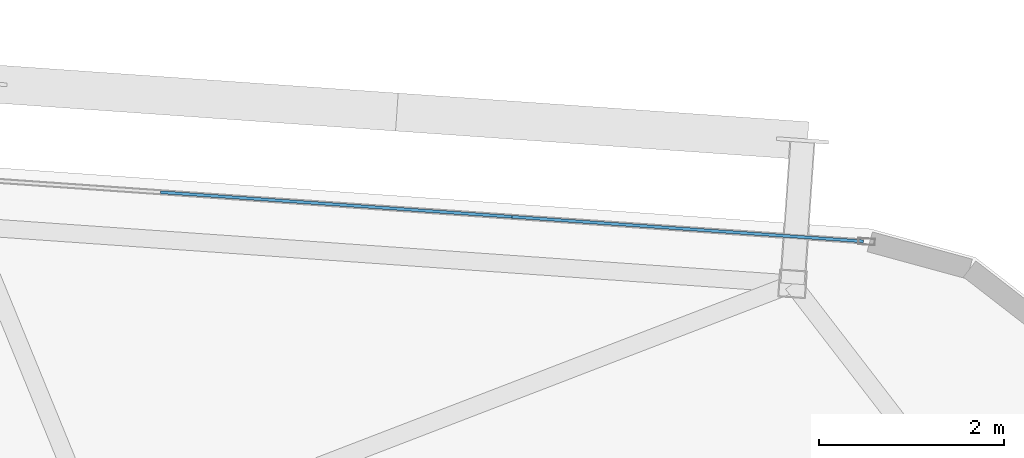
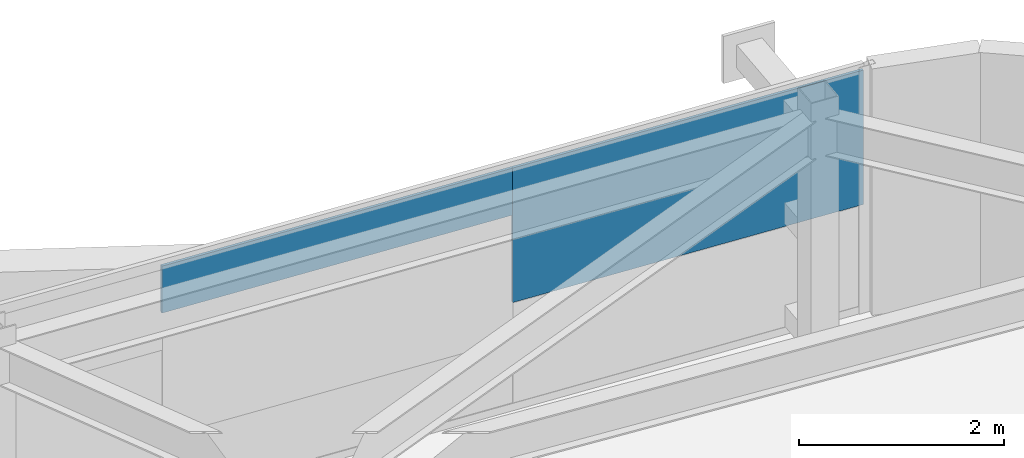
# One storey, part 26 of 39: 2 plates, 1 element without a shape of its own.
"""IFC4 building model written with IfcOpenShell, lengths in metres."""

from ifc_helpers import new_model, si_unit, direction, frame, origin, origin_2d, place, context, subcontext, project, spatial, rectangle, extrude, source, transform, mapped, material, layer, layer_set, type_object, element, aggregate, save


model = new_model("IFC4")

# Units and contexts
model_context = context("Model", 3, precision=1e-05, world=origin(), true_north=direction((0.0, 1.0)))
body_context = subcontext(model_context, "Body", "Model", "MODEL_VIEW")
ifc_project = project(units=[si_unit("LENGTHUNIT", "METRE"), si_unit("AREAUNIT", "SQUARE_METRE"), si_unit("VOLUMEUNIT", "CUBIC_METRE"), si_unit("PLANEANGLEUNIT", "RADIAN"), si_unit("MASSUNIT", "GRAM", prefix="KILO")], contexts=[model_context])

# Site, building, storey
site_placement = place(None, origin())
site = spatial("IfcSite", under=ifc_project, at=site_placement, CompositionType="ELEMENT")
building_placement = place(site_placement, origin())
building = spatial("IfcBuilding", under=site, at=building_placement, Name="Taldren Reach Tower", CompositionType="ELEMENT")
storey_placement = place(building_placement, frame((0.0, 0.0, 123.550048828125)))
storey = spatial("IfcBuildingStorey", under=building, at=storey_placement, Name="L37", CompositionType="ELEMENT", Elevation=123.550048828125)

# Curtain wall, plates
ifc_material_1 = material(Name="Aluminium and Low-E Glass Unitised System", Category="aluminium")
ifc_layer_1 = layer(ifc_material_1, 0.159912109375)
ifc_layer_set_1 = layer_set([ifc_layer_1], Name="Aluminium and Low-E Glass Unitised System")
curtain_wall_type = type_object("IfcCurtainWallType", Name="CW-SYS-4", PredefinedType="NOTDEFINED", material=ifc_layer_set_1)
curtain_wall_placement = place(storey_placement, origin())
curtain_wall = element("IfcCurtainWall", 1, at=curtain_wall_placement, inside=storey, type_object=curtain_wall_type, Name="Unitised curtain wall CW-L37-N", PredefinedType="NOTDEFINED")
ifc_material_2 = material(Name="Solar-Control Double Glazed IGU", Category="glass")
ifc_layer_2 = layer(ifc_material_2, 0.031982421875)
ifc_layer_set_2 = layer_set([ifc_layer_2], Name="Solar-Control Double Glazed IGU")
plate_type = type_object("IfcPlateType", Name="CW-PNL-IGU32", PredefinedType="CURTAIN_PANEL", material=ifc_layer_set_2)
shared_shape_1 = source(origin(), body_context, "Body", "SweptSolid", [
    extrude(rectangle(XDim=3.79833984375, YDim=0.031982421875, at=origin_2d()), origin(), (0.0, 0.0, 1.0), 1.597900390625),
])
plate_1_placement = place(storey_placement, frame((57.3056640625, 35.451904296875, 1.27685546875), z_axis=(0.0, 0.0, 1.0), x_axis=(-0.99756404731, 0.06975651593, 0.0)))
plate_1 = element("IfcPlate", 2, at=plate_1_placement, type_object=plate_type, Name="CW-4 panel 1.1 part 1", PredefinedType="CURTAIN_PANEL", context=body_context, shape_type="MappedRepresentation", body=[
    mapped(shared_shape_1, transform((0.0, 0.0, 0.0), scale=1.0)),
])
shared_shape_2 = source(origin(), body_context, "Body", "SweptSolid", [
    extrude(rectangle(XDim=3.79833984375, YDim=0.031982421875, at=origin_2d()), origin(), (0.0, 0.0, 1.0), 0.558349609375),
])
plate_2_placement = place(storey_placement, frame((53.5166015625, 35.716796875, 2.31640625), z_axis=(0.0, 0.0, 1.0), x_axis=(-0.99756404731, 0.06975651593, 0.0)))
plate_2 = element("IfcPlate", 3, at=plate_2_placement, type_object=plate_type, Name="CW-4 panel 1.1 part 3", PredefinedType="CURTAIN_PANEL", context=body_context, shape_type="MappedRepresentation", body=[
    mapped(shared_shape_2, transform((0.0, 0.0, 0.0), scale=1.0)),
])
aggregate(curtain_wall, [plate_1, plate_2])

save(model, "model.ifc")
